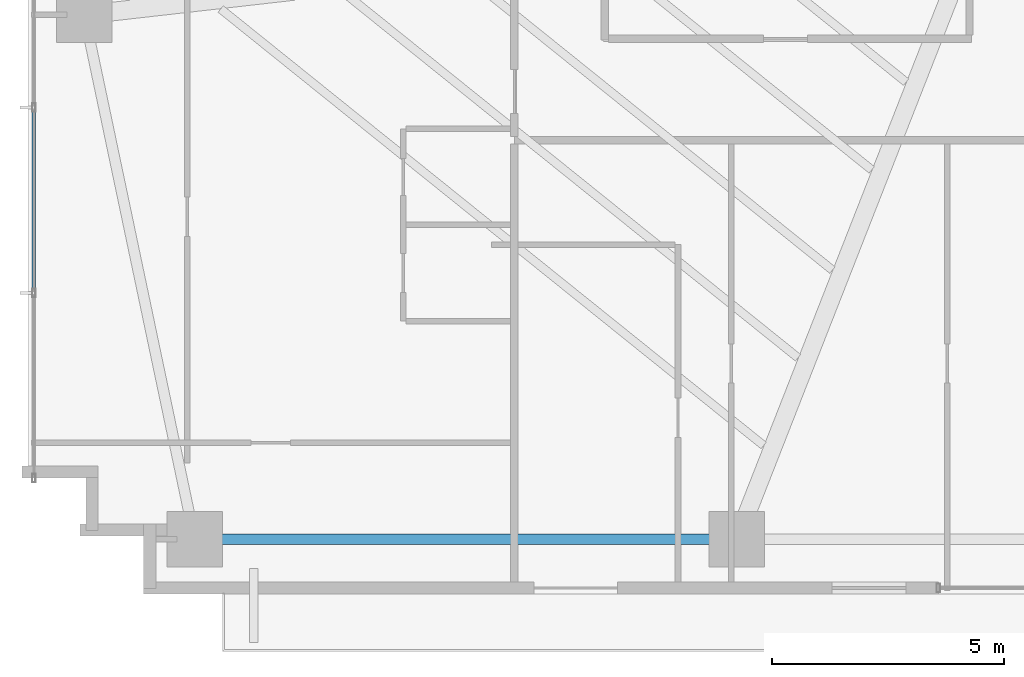
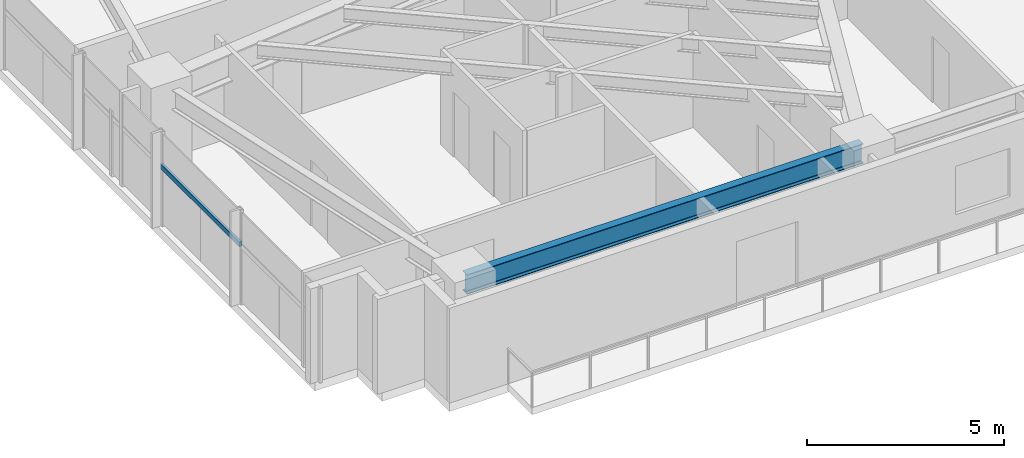
# One storey, part 3 of 25: 1 beam, 1 member, 1 element without a shape of its own.
"""IFC4 building model written with IfcOpenShell, lengths in metres."""

from ifc_helpers import new_model, si_unit, direction, frame, origin, origin_2d, place, context, subcontext, project, spatial, hollow_rectangle, i_section, extrude, source, transform, mapped, material, material_profile, profile_set, type_object, type_shapes, element, aggregate, save


model = new_model("IFC4")

# Units and contexts
model_context = context("Model", 3, precision=1e-05, world=origin(), true_north=direction((0.0, 1.0)))
body_context = subcontext(model_context, "Body", "Model", "MODEL_VIEW")
ifc_project = project(units=[si_unit("LENGTHUNIT", "METRE"), si_unit("AREAUNIT", "SQUARE_METRE"), si_unit("VOLUMEUNIT", "CUBIC_METRE"), si_unit("PLANEANGLEUNIT", "RADIAN"), si_unit("MASSUNIT", "GRAM", prefix="KILO")], contexts=[model_context])

# Site, building, storey
site_placement = place(None, origin())
site = spatial("IfcSite", under=ifc_project, at=site_placement, CompositionType="ELEMENT")
building_placement = place(site_placement, origin())
building = spatial("IfcBuilding", under=site, at=building_placement, Name="Astriad Promenade Condominiums", CompositionType="ELEMENT")
storey_placement = place(building_placement, frame((0.0, 0.0, 35.800048828125)))
storey = spatial("IfcBuildingStorey", under=building, at=storey_placement, Name="L09", CompositionType="ELEMENT", Elevation=35.800048828125)

# Beam
ifc_material_1 = material(Name="Steel ASTM A992 Grade 50", Category="steel")
ifc_material_profile_1 = material_profile(ifc_material_1, i_section(OverallWidth=0.22900390625, OverallDepth=0.612060546875, WebThickness=0.011962890625, FlangeThickness=0.01953125, FilletRadius=0.017822265625, at=origin_2d()), Name="W24X84")
ifc_profile_set_1 = profile_set([ifc_material_profile_1], Name="Steel ASTM A992 Grade 50")
beam_type = type_object("IfcBeamType", Name="STEEL SPANDREL BEAM W24X84", PredefinedType="SPANDREL", material=ifc_profile_set_1)
shared_shape_1 = source(origin(), body_context, "Body", "SweptSolid", [
    extrude(i_section(OverallWidth=0.22900390625, OverallDepth=0.612060546875, WebThickness=0.011962890625, FlangeThickness=0.01953125, FilletRadius=0.017822265625, at=origin_2d()), origin(), (0.0, 0.0, 1.0), 11.6201171875),
])
type_shapes(beam_type, [shared_shape_1])
beam_placement = place(storey_placement, frame((9.43994140625, 3.8798828125, 2.634033203125), z_axis=(1.0, 0.0, 0.0), x_axis=(0.0, 1.0, 0.0)))
element("IfcBeam", 1, at=beam_placement, inside=storey, type_object=beam_type, Name="Perimeter Spandrel Beam SP-S1-L09", PredefinedType="SPANDREL", context=body_context, shape_type="MappedRepresentation", body=[
    mapped(shared_shape_1, transform((0.0, 0.0, 0.0), scale=1.0)),
])

# Curtain wall, member
ifc_material_2 = material(Name="Anodised aluminium Black Dark Glass Unitised", Category="aluminium")
curtain_wall_type = type_object("IfcCurtainWallType", Name="CW-B1-DARK", PredefinedType="USERDEFINED", material=ifc_material_2)
curtain_wall_placement = place(storey_placement, origin())
curtain_wall = element("IfcCurtainWall", 2, at=curtain_wall_placement, inside=storey, type_object=curtain_wall_type, Name="CW-L09-W", ObjectType="UNITISED_CURTAIN_WALL", PredefinedType="USERDEFINED")
ifc_material_3 = material(Name="Anodised aluminium 6063-T6 Black", Category="aluminium")
ifc_material_profile_2 = material_profile(ifc_material_3, hollow_rectangle(XDim=0.074951171875, YDim=0.14990234375, WallThickness=0.004150390625, at=origin_2d()), Name="ALU-TRN-75X150")
ifc_profile_set_2 = profile_set([ifc_material_profile_2], Name="Anodised aluminium 6063-T6 Black")
member_type = type_object("IfcMemberType", Name="TRN-ALU-TRN-75X150", PredefinedType="USERDEFINED", material=ifc_profile_set_2)
shared_shape_2 = source(origin(), body_context, "Body", "SweptSolid", [
    extrude(hollow_rectangle(XDim=0.074951171875, YDim=0.14990234375, WallThickness=0.004150390625, at=origin_2d()), origin(), (0.0, 0.0, 1.0), 4.0),
])
type_shapes(member_type, [shared_shape_2])
member_placement = place(storey_placement, frame((5.929931640625, 9.199951171875, 1.82275390625), z_axis=(0.0, 1.0, 0.0), x_axis=(-1.0, 0.0, 0.0)))
member = element("IfcMember", 3, at=member_placement, type_object=member_type, Name="CW-L09-W-TRN-01-0", ObjectType="TRANSOM", PredefinedType="USERDEFINED", context=body_context, shape_type="MappedRepresentation", body=[
    mapped(shared_shape_2, transform((0.0, 0.0, 0.0), scale=1.0)),
])
aggregate(curtain_wall, [member])

save(model, "model.ifc")
